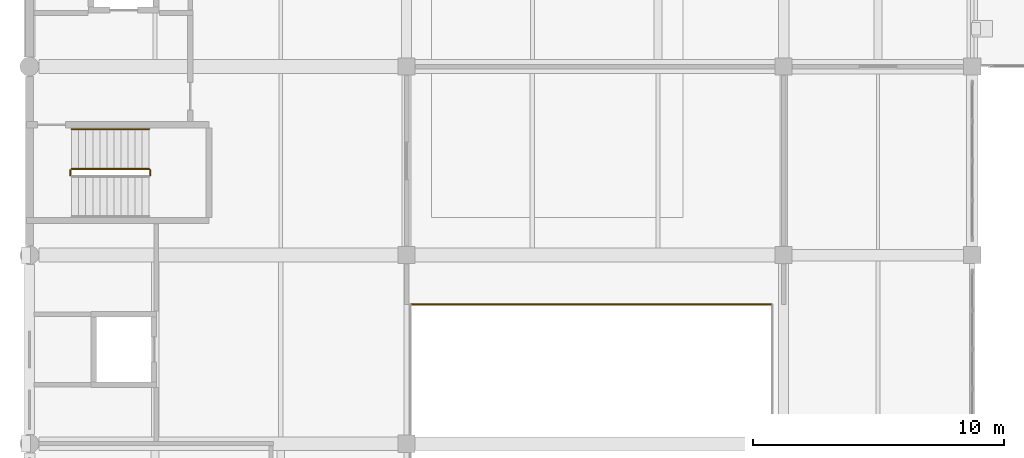
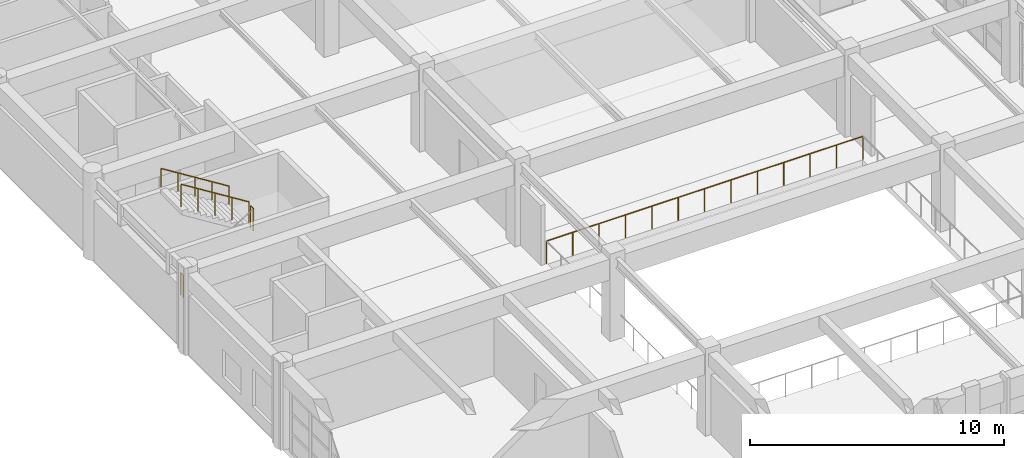
# One storey, part 118 of 132: 5 railings.
"""IFC4 building model written with IfcOpenShell, lengths in metres."""

from ifc_helpers import new_model, si_unit, direction, frame, origin, origin_2d, place, context, subcontext, project, spatial, circle, extrude, material, layer, layer_set, type_object, element, save


model = new_model("IFC4")

# Units and contexts
model_context = context("Model", 3, precision=1e-05, world=origin(), true_north=direction((0.0, 1.0)))
body_context = subcontext(model_context, "Body", "Model", "MODEL_VIEW")
ifc_project = project(units=[si_unit("LENGTHUNIT", "METRE"), si_unit("AREAUNIT", "SQUARE_METRE"), si_unit("VOLUMEUNIT", "CUBIC_METRE"), si_unit("PLANEANGLEUNIT", "RADIAN"), si_unit("MASSUNIT", "GRAM", prefix="KILO")], contexts=[model_context])

# Site, building, storey
site_placement = place(None, origin())
site = spatial("IfcSite", under=ifc_project, at=site_placement, CompositionType="ELEMENT")
building_placement = place(site_placement, origin())
building = spatial("IfcBuilding", under=site, at=building_placement, Name="Qasida Concert Hall", CompositionType="ELEMENT")
storey_placement = place(building_placement, frame((0.0, 0.0, 4.800048828125)))
storey = spatial("IfcBuildingStorey", under=building, at=storey_placement, Name="L01", CompositionType="ELEMENT", Elevation=4.800048828125)

# Railings
ifc_material_1 = material(Name="Carved Lebanese limestone and bronze top rail", Category="masonry")
ifc_layer_1 = layer(ifc_material_1, 0.10009765625, Name="Carved Lebanese limestone and bronze top rail")
ifc_layer_set_1 = layer_set([ifc_layer_1], Name="Carved Lebanese limestone and bronze top rail")
railing_type_1 = type_object("IfcRailingType", Name="RL-BAL-1100", PredefinedType="BALUSTRADE", material=ifc_layer_set_1)
railing_1_placement = place(storey_placement, frame((29.5400390625, 20.5400390625, 0.0)))
element("IfcRailing", 1, at=railing_1_placement, inside=storey, type_object=railing_type_1, Name="L01 Grand foyer atrium balustrade 0040", PredefinedType="BALUSTRADE", context=body_context, shape_type="SweptSolid", body=[
    extrude(circle(Radius=0.02392578125, at=origin_2d()), frame((0.0, 0.0, 1.09619140625), z_axis=(-1.0, 0.0, 0.0), x_axis=(0.0, -1.0, 0.0)), (0.0, 0.0, 1.0), 14.380126953125),
    extrude(circle(Radius=0.02099609375, at=origin_2d()), origin(), (0.0, 0.0, 1.0), 1.072021484375),
    extrude(circle(Radius=0.02099609375, at=origin_2d()), frame((-1.1982421875, 0.0, 0.0)), (0.0, 0.0, 1.0), 1.072021484375),
    extrude(circle(Radius=0.02099609375, at=origin_2d()), frame((-2.396728515625, 0.0, 0.0)), (0.0, 0.0, 1.0), 1.072021484375),
    extrude(circle(Radius=0.02099609375, at=origin_2d()), frame((-3.594970703125, 0.0, 0.0)), (0.0, 0.0, 1.0), 1.072021484375),
    extrude(circle(Radius=0.02099609375, at=origin_2d()), frame((-4.79345703125, 0.0, 0.0)), (0.0, 0.0, 1.0), 1.072021484375),
    extrude(circle(Radius=0.02099609375, at=origin_2d()), frame((-5.99169921875, 0.0, 0.0)), (0.0, 0.0, 1.0), 1.072021484375),
    extrude(circle(Radius=0.02099609375, at=origin_2d()), frame((-7.18994140625, 0.0, 0.0)), (0.0, 0.0, 1.0), 1.072021484375),
    extrude(circle(Radius=0.02099609375, at=origin_2d()), frame((-8.388427734375, 0.0, 0.0)), (0.0, 0.0, 1.0), 1.072021484375),
    extrude(circle(Radius=0.02099609375, at=origin_2d()), frame((-9.586669921875, 0.0, 0.0)), (0.0, 0.0, 1.0), 1.072021484375),
    extrude(circle(Radius=0.02099609375, at=origin_2d()), frame((-10.78515625, 0.0, 0.0)), (0.0, 0.0, 1.0), 1.072021484375),
    extrude(circle(Radius=0.02099609375, at=origin_2d()), frame((-11.9833984375, 0.0, 0.0)), (0.0, 0.0, 1.0), 1.072021484375),
    extrude(circle(Radius=0.02099609375, at=origin_2d()), frame((-13.181884765625, 0.0, 0.0)), (0.0, 0.0, 1.0), 1.072021484375),
    extrude(circle(Radius=0.02099609375, at=origin_2d()), frame((-14.380126953125, 0.0, 0.0)), (0.0, 0.0, 1.0), 1.072021484375),
])
ifc_material_2 = material(Name="Patinated architectural bronze and laminated glass infill", Category="glass")
ifc_layer_2 = layer(ifc_material_2, 0.080078125, Name="Patinated architectural bronze and laminated glass infill")
ifc_layer_set_2 = layer_set([ifc_layer_2], Name="Patinated architectural bronze and laminated glass infill")
railing_type_2 = type_object("IfcRailingType", Name="RL-GRD-1100", PredefinedType="GUARDRAIL", material=ifc_layer_set_2)
railing_2_placement = place(storey_placement, frame((4.81005859375, 25.679931640625, 2.099853515625)))
element("IfcRailing", 2, at=railing_2_placement, inside=storey, type_object=railing_type_2, Name="L01 ST-03 stair guard 2", PredefinedType="GUARDRAIL", context=body_context, shape_type="SweptSolid", body=[
    extrude(circle(Radius=0.02392578125, at=origin_2d()), frame((0.0, 0.0, 1.076171875), z_axis=(0.0, 1.0, 0.0), x_axis=(-1.0, 0.0, 0.0)), (0.0, 0.0, 1.0), 0.199951171875),
    extrude(circle(Radius=0.02099609375, at=origin_2d()), origin(), (0.0, 0.0, 1.0), 1.052001953125),
    extrude(circle(Radius=0.02099609375, at=origin_2d()), frame((0.0, 0.199951171875, 0.0)), (0.0, 0.0, 1.0), 1.052001953125),
])
railing_3_placement = place(storey_placement, frame((4.760009765625, 25.929931640625, 2.27490234375)))
element("IfcRailing", 3, at=railing_3_placement, inside=storey, type_object=railing_type_2, Name="L01 ST-03 stair guard 3", PredefinedType="GUARDRAIL", context=body_context, shape_type="SweptSolid", body=[
    extrude(circle(Radius=0.02392578125, at=origin_2d()), frame((0.0, 0.0, 1.076171875), z_axis=(-0.847998304005, 0.0, 0.529998940003), x_axis=(0.0, -1.0, 0.0)), (0.0, 0.0, 1.0), 3.632080078125),
    extrude(circle(Radius=0.02099609375, at=origin_2d()), origin(), (0.0, 0.0, 1.0), 1.052001953125),
    extrude(circle(Radius=0.02099609375, at=origin_2d()), frame((-0.77001953125, 0.0, 0.481201171875)), (0.0, 0.0, 1.0), 1.052001953125),
    extrude(circle(Radius=0.02099609375, at=origin_2d()), frame((-1.5400390625, 0.0, 0.96240234375)), (0.0, 0.0, 1.0), 1.052001953125),
    extrude(circle(Radius=0.02099609375, at=origin_2d()), frame((-2.31005859375, 0.0, 1.44384765625)), (0.0, 0.0, 1.0), 1.052001953125),
    extrude(circle(Radius=0.02099609375, at=origin_2d()), frame((-3.080078125, 0.0, 1.925048828125)), (0.0, 0.0, 1.0), 1.052001953125),
])
railing_4_placement = place(storey_placement, frame((1.6298828125, 25.679931640625, 0.0)))
element("IfcRailing", 4, at=railing_4_placement, inside=storey, type_object=railing_type_2, Name="L01 ST-03 stair guard 4", PredefinedType="GUARDRAIL", context=body_context, shape_type="SweptSolid", body=[
    extrude(circle(Radius=0.02392578125, at=origin_2d()), frame((0.0, 0.0, 1.076171875), z_axis=(0.0, 1.0, 0.0), x_axis=(-1.0, 0.0, 0.0)), (0.0, 0.0, 1.0), 0.199951171875),
    extrude(circle(Radius=0.02099609375, at=origin_2d()), origin(), (0.0, 0.0, 1.0), 1.052001953125),
    extrude(circle(Radius=0.02099609375, at=origin_2d()), frame((0.0, 0.199951171875, 0.0)), (0.0, 0.0, 1.0), 1.052001953125),
])
ifc_material_3 = material(Name="Patinated tubular architectural bronze", Category="steel")
ifc_layer_3 = layer(ifc_material_3, 0.050048828125, Name="Patinated tubular architectural bronze")
ifc_layer_set_3 = layer_set([ifc_layer_3], Name="Patinated tubular architectural bronze")
railing_type_3 = type_object("IfcRailingType", Name="RL-HND-900", PredefinedType="HANDRAIL", material=ifc_layer_set_3)
railing_5_placement = place(storey_placement, frame((4.760009765625, 27.510009765625, 2.27490234375)))
element("IfcRailing", 5, at=railing_5_placement, inside=storey, type_object=railing_type_3, Name="L01 ST-03 stair handrail 2", PredefinedType="HANDRAIL", context=body_context, shape_type="SweptSolid", body=[
    extrude(circle(Radius=0.02392578125, at=origin_2d()), frame((0.0, 0.0, 0.8759765625), z_axis=(-0.847998304005, 0.0, 0.529998940003), x_axis=(0.0, -1.0, 0.0)), (0.0, 0.0, 1.0), 3.632080078125),
    extrude(circle(Radius=0.02099609375, at=origin_2d()), origin(), (0.0, 0.0, 1.0), 0.851806640625),
    extrude(circle(Radius=0.02099609375, at=origin_2d()), frame((-0.77001953125, 0.0, 0.481201171875)), (0.0, 0.0, 1.0), 0.851806640625),
    extrude(circle(Radius=0.02099609375, at=origin_2d()), frame((-1.5400390625, 0.0, 0.96240234375)), (0.0, 0.0, 1.0), 0.851806640625),
    extrude(circle(Radius=0.02099609375, at=origin_2d()), frame((-2.31005859375, 0.0, 1.44384765625)), (0.0, 0.0, 1.0), 0.851806640625),
    extrude(circle(Radius=0.02099609375, at=origin_2d()), frame((-3.080078125, 0.0, 1.925048828125)), (0.0, 0.0, 1.0), 0.851806640625),
])

save(model, "model.ifc")
